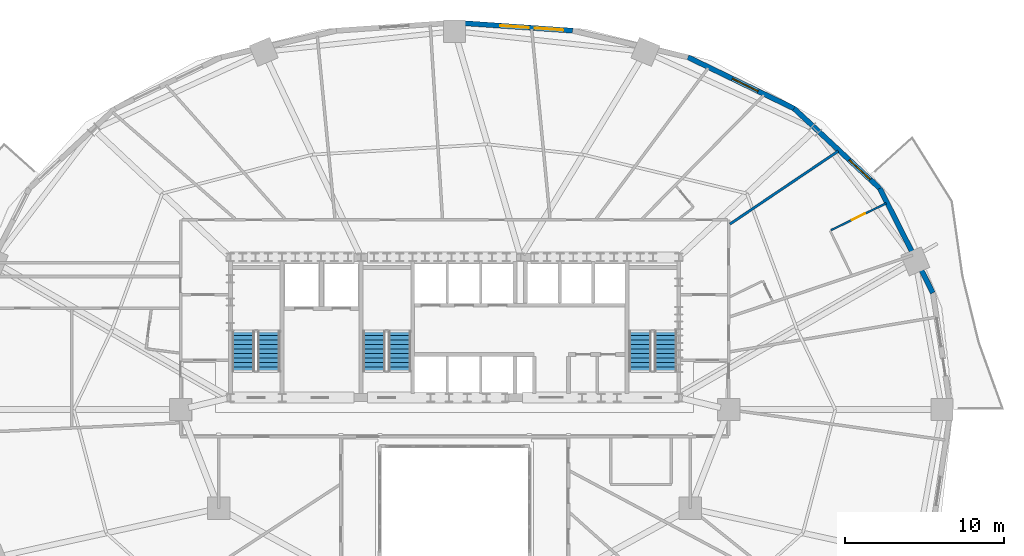
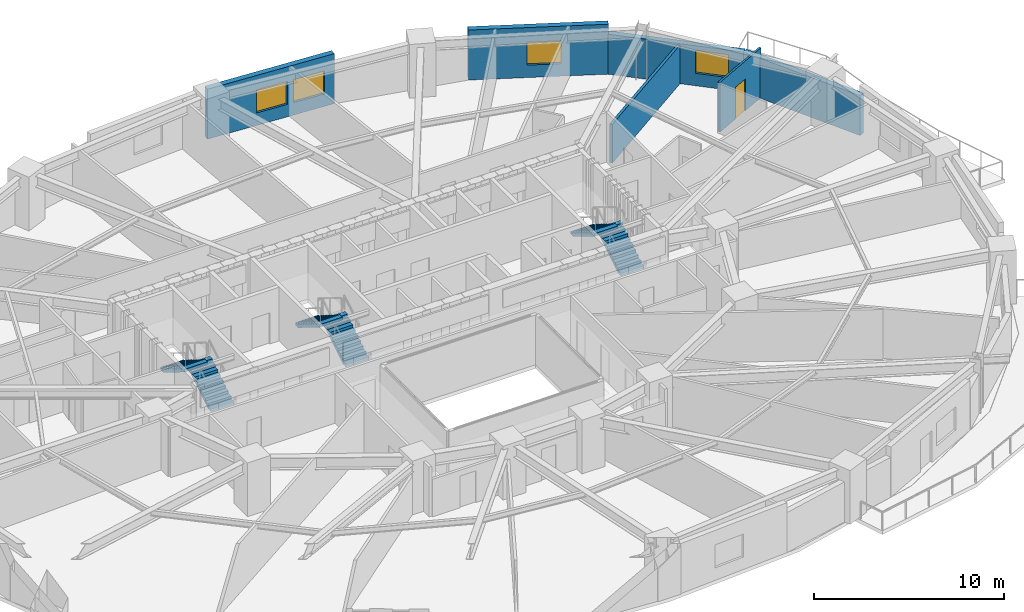
# One storey, part 13 of 17: 6 stair flights, 6 walls, 4 windows, 1 door, 5 openings, 3 elements without a shape of their own.
"""IFC4 building model written with IfcOpenShell, lengths in metres."""

from ifc_helpers import new_model, si_unit, direction, frame, frame_2d, origin, place, context, subcontext, project, spatial, polyline, rectangle, outline, extrude, material, layer, layer_set, type_object, element, fill, aggregate, save


model = new_model("IFC4")

# Units and contexts
model_context = context("Model", 3, precision=1e-05, world=origin(), true_north=direction((0.0, 1.0)))
body_context = subcontext(model_context, "Body", "Model", "MODEL_VIEW")
ifc_project = project(units=[si_unit("LENGTHUNIT", "METRE"), si_unit("AREAUNIT", "SQUARE_METRE"), si_unit("VOLUMEUNIT", "CUBIC_METRE"), si_unit("PLANEANGLEUNIT", "RADIAN"), si_unit("MASSUNIT", "GRAM", prefix="KILO")], contexts=[model_context])

# Site, building, storey
site_placement = place(None, origin())
site = spatial("IfcSite", under=ifc_project, at=site_placement, CompositionType="ELEMENT")
building_placement = place(site_placement, origin())
building = spatial("IfcBuilding", under=site, at=building_placement, Name="Haldorwick Loom Tower", CompositionType="ELEMENT")
storey_placement = place(building_placement, frame((0.0, 0.0, 65.39990234375)))
storey = spatial("IfcBuildingStorey", under=building, at=storey_placement, Name="L17", CompositionType="ELEMENT", Elevation=65.39990234375)

# Wall
ifc_material_1 = material(Name="Pressed Clay Face Brick and Insulated Masonry Backup Assembly", Category="masonry")
ifc_layer_1 = layer(ifc_material_1, 0.320068359375, Name="Pressed Clay Face Brick and Insulated Masonry Backup Assembly", Category="masonry")
ifc_layer_set_1 = layer_set([ifc_layer_1], Name="Pressed Clay Face Brick and Insulated Masonry Backup Assembly")
wall_type_1 = type_object("IfcWallType", Name="ARC-WL-EXT320", PredefinedType="STANDARD", material=ifc_layer_set_1)
wall_1_placement = place(storey_placement, frame((66.021728515625, 33.320556640625, 0.0), z_axis=(0.0, 0.0, 1.0), x_axis=(-0.452950855928, 0.891535485617, 0.0)))
element("IfcWall", 1, at=wall_1_placement, inside=storey, type_object=wall_type_1, Name="L17 Brick Pier and Spandrel Wall 2", PredefinedType="STANDARD", context=body_context, shape_type="SweptSolid", body=[
    extrude(rectangle(XDim=7.3583984375, YDim=0.320068359375, at=frame_2d((3.67919921875, 0.0))), origin(), (0.0, 0.0, 1.0), 2.569091796875),
])

# Wall, opening, window
wall_2_placement = place(storey_placement, frame((62.688720703125, 39.880859375, 0.0), z_axis=(0.0, 0.0, 1.0), x_axis=(-0.73176101237, 0.681561311091, 0.0)))
wall_2 = element("IfcWall", 2, at=wall_2_placement, inside=storey, type_object=wall_type_1, Name="L17 Brick Pier and Spandrel Wall 3", PredefinedType="STANDARD", context=body_context, shape_type="SweptSolid", body=[
    extrude(rectangle(XDim=7.3583984375, YDim=0.320068359375, at=frame_2d((3.67919921875, 0.0))), origin(), (0.0, 0.0, 1.0), 2.569091796875),
])
opening_1_placement = place(wall_2_placement, frame((0.82177734375, 0.0, 0.800048828125)))
opening_1 = element("IfcOpeningElement", 3, at=opening_1_placement, cuts=wall_2, Name="Opening W-01", PredefinedType="OPENING", context=body_context, shape_type="SweptSolid", body=[
    extrude(rectangle(XDim=1.800048828125, YDim=1.47998046875, at=frame_2d((0.89990234375, 0.739990234375))), frame((0.0, 0.169921875, 0.0), z_axis=(0.0, -1.0, 0.0), x_axis=(1.0, 0.0, 0.0)), (0.0, 0.0, 1.0), 0.340087890625),
])
ifc_material_2 = material(Name="Triple-Glazed Low-E Argon Insulated Glazing Unit", Category="glass")
window_type = type_object("IfcWindowType", Name="ARC-WIN-W180", PartitioningType="SINGLE_PANEL", PredefinedType="WINDOW", material=ifc_material_2)
window_1_placement = place(opening_1_placement, origin())
window_1 = element("IfcWindow", 4, at=window_1_placement, inside=storey, type_object=window_type, Name="L17 Deep-Set Zone 7A Window 3", OverallHeight=1.47998046875, OverallWidth=1.800048828125, PartitioningType="SINGLE_PANEL", PredefinedType="WINDOW", context=body_context, shape_type="SweptSolid", body=[
    extrude(rectangle(XDim=1.800048828125, YDim=1.47998046875, at=frame_2d((0.89990234375, 0.739990234375))), frame((0.0, 0.030029296875, 0.0), z_axis=(0.0, -1.0, 0.0), x_axis=(1.0, 0.0, 0.0)), (0.0, 0.0, 1.0), 0.06005859375),
])
fill(opening_1, window_1)

wall_3_placement = place(storey_placement, frame((57.30419921875, 44.89599609375, 0.0), z_axis=(0.0, 0.0, 1.0), x_axis=(-0.900295710431, 0.435278800057, 0.0)))
wall_3 = element("IfcWall", 5, at=wall_3_placement, inside=storey, type_object=wall_type_1, Name="L17 Brick Pier and Spandrel Wall 4", PredefinedType="STANDARD", context=body_context, shape_type="SweptSolid", body=[
    extrude(rectangle(XDim=7.39697265625, YDim=0.320068359375, at=frame_2d((3.698486328125, 0.0))), origin(), (0.0, 0.0, 1.0), 3.210205078125),
])
opening_2_placement = place(wall_3_placement, frame((2.498779296875, 0.0, 0.800048828125)))
opening_2 = element("IfcOpeningElement", 6, at=opening_2_placement, cuts=wall_3, Name="Opening W-01", PredefinedType="OPENING", context=body_context, shape_type="SweptSolid", body=[
    extrude(rectangle(XDim=1.800048828125, YDim=1.47998046875, at=frame_2d((0.89990234375, 0.739990234375))), frame((0.0, 0.169921875, 0.0), z_axis=(0.0, -1.0, 0.0), x_axis=(1.0, 0.0, 0.0)), (0.0, 0.0, 1.0), 0.340087890625),
])
window_2_placement = place(opening_2_placement, origin())
window_2 = element("IfcWindow", 7, at=window_2_placement, inside=storey, type_object=window_type, Name="L17 Deep-Set Zone 7A Window 4", OverallHeight=1.47998046875, OverallWidth=1.800048828125, PartitioningType="SINGLE_PANEL", PredefinedType="WINDOW", context=body_context, shape_type="SweptSolid", body=[
    extrude(rectangle(XDim=1.800048828125, YDim=1.47998046875, at=frame_2d((0.89990234375, 0.739990234375))), frame((0.0, 0.030029296875, 0.0), z_axis=(0.0, -1.0, 0.0), x_axis=(1.0, 0.0, 0.0)), (0.0, 0.0, 1.0), 0.06005859375),
])
fill(opening_2, window_2)

# Wall, openings, windows
wall_4_placement = place(storey_placement, frame((43.411376953125, 49.780517578125, 0.0), z_axis=(0.0, 0.0, 1.0), x_axis=(-0.997645161917, 0.068586667092, 0.0)))
wall_4 = element("IfcWall", 8, at=wall_4_placement, inside=storey, type_object=wall_type_1, Name="L17 Brick Pier and Spandrel Wall 6", PredefinedType="STANDARD", context=body_context, shape_type="SweptSolid", body=[
    extrude(rectangle(XDim=7.428955078125, YDim=0.320068359375, at=frame_2d((3.71435546875, 0.0))), origin(), (0.0, 0.0, 1.0), 3.210205078125),
])
opening_3_placement = place(wall_4_placement, frame((0.581298828125, 0.0, 0.800048828125)))
opening_3 = element("IfcOpeningElement", 9, at=opening_3_placement, cuts=wall_4, Name="Opening W-01", PredefinedType="OPENING", context=body_context, shape_type="SweptSolid", body=[
    extrude(rectangle(XDim=1.800048828125, YDim=1.47998046875, at=frame_2d((0.89990234375, 0.739990234375))), frame((0.0, 0.169921875, 0.0), z_axis=(0.0, -1.0, 0.0), x_axis=(1.0, 0.0, 0.0)), (0.0, 0.0, 1.0), 0.340087890625),
])
opening_4_placement = place(wall_4_placement, frame((2.75390625, 0.0, 0.800048828125)))
opening_4 = element("IfcOpeningElement", 10, at=opening_4_placement, cuts=wall_4, Name="Opening W-01", PredefinedType="OPENING", context=body_context, shape_type="SweptSolid", body=[
    extrude(rectangle(XDim=1.800048828125, YDim=1.47998046875, at=frame_2d((0.89990234375, 0.739990234375))), frame((0.0, 0.169921875, 0.0), z_axis=(0.0, -1.0, 0.0), x_axis=(1.0, 0.0, 0.0)), (0.0, 0.0, 1.0), 0.340087890625),
])
window_3_placement = place(opening_3_placement, origin())
window_3 = element("IfcWindow", 11, at=window_3_placement, inside=storey, type_object=window_type, Name="L17 Deep-Set Zone 7A Window 6", OverallHeight=1.47998046875, OverallWidth=1.800048828125, PartitioningType="SINGLE_PANEL", PredefinedType="WINDOW", context=body_context, shape_type="SweptSolid", body=[
    extrude(rectangle(XDim=1.800048828125, YDim=1.47998046875, at=frame_2d((0.89990234375, 0.739990234375))), frame((0.0, 0.030029296875, 0.0), z_axis=(0.0, -1.0, 0.0), x_axis=(1.0, 0.0, 0.0)), (0.0, 0.0, 1.0), 0.06005859375),
])
fill(opening_3, window_3)
window_4_placement = place(opening_4_placement, origin())
window_4 = element("IfcWindow", 12, at=window_4_placement, inside=storey, type_object=window_type, Name="L17 Deep-Set Zone 7A Window 6", OverallHeight=1.47998046875, OverallWidth=1.800048828125, PartitioningType="SINGLE_PANEL", PredefinedType="WINDOW", context=body_context, shape_type="SweptSolid", body=[
    extrude(rectangle(XDim=1.800048828125, YDim=1.47998046875, at=frame_2d((0.89990234375, 0.739990234375))), frame((0.0, 0.030029296875, 0.0), z_axis=(0.0, -1.0, 0.0), x_axis=(1.0, 0.0, 0.0)), (0.0, 0.0, 1.0), 0.06005859375),
])
fill(opening_4, window_4)

# Wall
ifc_material_3 = material(Name="Fire-Rated Type X Gypsum Stud Assembly EI 60")
ifc_layer_2 = layer(ifc_material_3, 0.159912109375, Name="Fire-Rated Type X Gypsum Stud Assembly EI 60")
ifc_layer_set_2 = layer_set([ifc_layer_2], Name="Fire-Rated Type X Gypsum Stud Assembly EI 60")
wall_type_2 = type_object("IfcWallType", Name="ARC-WL-FIRE160", PredefinedType="PARTITIONING", material=ifc_layer_set_2)
wall_5_placement = place(storey_placement, frame((53.282958984375, 37.642333984375, 0.0), z_axis=(0.0, 0.0, 1.0), x_axis=(0.829396648127, 0.558660183006, 0.0)))
element("IfcWall", 13, at=wall_5_placement, inside=storey, type_object=wall_type_2, Name="L17 Suite Split Wall", PredefinedType="PARTITIONING", context=body_context, shape_type="SweptSolid", body=[
    extrude(rectangle(XDim=8.196044921875, YDim=0.159912109375, at=frame_2d((4.09814453125, 0.0))), origin(), (0.0, 0.0, 1.0), 2.489990234375),
])

# Wall, opening, door
ifc_material_4 = material(Name="Acoustic Gypsum Stud Assembly STC 55")
ifc_layer_3 = layer(ifc_material_4, 0.1201171875, Name="Acoustic Gypsum Stud Assembly STC 55")
ifc_layer_set_3 = layer_set([ifc_layer_3], Name="Acoustic Gypsum Stud Assembly STC 55")
wall_type_3 = type_object("IfcWallType", Name="ARC-WL-PART120", PredefinedType="PARTITIONING", material=ifc_layer_set_3)
wall_6_placement = place(storey_placement, frame((59.62548828125, 37.259521484375, 0.0), z_axis=(0.0, 0.0, 1.0), x_axis=(0.899474724732, 0.436972790422, 0.0)))
wall_6 = element("IfcWall", 14, at=wall_6_placement, inside=storey, type_object=wall_type_3, Name="L17 Unit 17G Interior Partition", PredefinedType="PARTITIONING", context=body_context, shape_type="SweptSolid", body=[
    extrude(rectangle(XDim=3.85400390625, YDim=0.1201171875, at=frame_2d((1.927001953125, 0.0))), origin(), (0.0, 0.0, 1.0), 3.195068359375),
])
opening_5_placement = place(wall_6_placement, frame((1.47705078125, 0.0, 0.0)))
opening_5 = element("IfcOpeningElement", 15, at=opening_5_placement, cuts=wall_6, Name="Opening D-IN90", PredefinedType="OPENING", context=body_context, shape_type="SweptSolid", body=[
    extrude(rectangle(XDim=0.89990234375, YDim=2.0400390625, at=frame_2d((0.449951171875, 1.02001953125))), frame((0.0, 0.070068359375, 0.0), z_axis=(0.0, -1.0, 0.0), x_axis=(1.0, 0.0, 0.0)), (0.0, 0.0, 1.0), 0.14013671875),
])
ifc_material_5 = material(Name="Solid Core Birch Architectural Door")
door_type = type_object("IfcDoorType", Name="ARC-DR-INT90", OperationType="NOTDEFINED", PredefinedType="DOOR", material=ifc_material_5)
door_placement = place(opening_5_placement, origin())
door = element("IfcDoor", 16, at=door_placement, inside=storey, type_object=door_type, Name="L17 Unit 17G Kitchen and Living Room to Unit 17G Bedroom 1 Door", OperationType="SINGLE_SWING_LEFT", OverallHeight=2.0400390625, OverallWidth=0.89990234375, PredefinedType="DOOR", context=body_context, shape_type="SweptSolid", body=[
    extrude(rectangle(XDim=0.89990234375, YDim=2.0400390625, at=frame_2d((0.449951171875, 1.02001953125))), frame((0.0, 0.02490234375, 0.0), z_axis=(0.0, -1.0, 0.0), x_axis=(1.0, 0.0, 0.0)), (0.0, 0.0, 1.0), 0.050048828125),
])
fill(opening_5, door)

# Stair, stair flights
ifc_material_6 = material(Name="Concrete C40 (40 MPa)", Category="concrete")
stair_type = type_object("IfcStairType", Name="STR-STR-CORE", PredefinedType="HALF_TURN_STAIR", material=ifc_material_6)
stair_1_placement = place(storey_placement, origin())
stair_1 = element("IfcStair", 17, at=stair_1_placement, inside=storey, type_object=stair_type, Name="L17 Exit Stair ST-01", PredefinedType="HALF_TURN_STAIR")
stair_flight_type = type_object("IfcStairFlightType", Name="STR-STF-1250", PredefinedType="STRAIGHT", material=ifc_material_6)
stair_flight_1_placement = place(storey_placement, frame((24.35009765625, 28.39990234375, 0.0), z_axis=(0.0, 0.0, 1.0), x_axis=(0.0, 1.0, 0.0)))
stair_flight_1 = element("IfcStairFlight", 18, at=stair_flight_1_placement, type_object=stair_flight_type, Name="ST-01 flight 1", NumberOfRisers=10, NumberOfTreads=9, PredefinedType="STRAIGHT", RiserHeight=0.1725, TreadLength=0.28, context=body_context, shape_type="SweptSolid", body=[
    extrude(outline(polyline([(0.0, 0.0), (0.0, 0.172607421875), (0.280029296875, 0.172607421875), (0.280029296875, 0.344970703125), (0.56005859375, 0.344970703125), (0.56005859375, 0.517578125), (0.840087890625, 0.517578125), (0.840087890625, 0.68994140625), (1.1201171875, 0.68994140625), (1.1201171875, 0.862548828125), (1.39990234375, 0.862548828125), (1.39990234375, 1.034912109375), (1.679931640625, 1.034912109375), (1.679931640625, 1.20751953125), (1.9599609375, 1.20751953125), (1.9599609375, 1.3798828125), (2.239990234375, 1.3798828125), (2.239990234375, 1.552490234375), (2.52001953125, 1.552490234375), (2.52001953125, 1.72509765625), (2.52001953125, 1.37646484375), (0.285888671875, 0.0), (0.0, 0.0)])), frame((0.0, 0.699951171875, 0.0), z_axis=(0.0, -1.0, 0.0), x_axis=(1.0, 0.0, 0.0)), (0.0, 0.0, 1.0), 1.39990234375),
])
stair_flight_2_placement = place(storey_placement, frame((22.75, 30.919921875, 1.72509765625), z_axis=(0.0, 0.0, 1.0), x_axis=(0.0, -1.0, 0.0)))
stair_flight_2 = element("IfcStairFlight", 19, at=stair_flight_2_placement, type_object=stair_flight_type, Name="ST-01 flight 2", NumberOfRisers=10, NumberOfTreads=9, PredefinedType="STRAIGHT", RiserHeight=0.1725, TreadLength=0.28, context=body_context, shape_type="SweptSolid", body=[
    extrude(outline(polyline([(0.0, 0.0), (0.0, 0.172607421875), (0.280029296875, 0.172607421875), (0.280029296875, 0.344970703125), (0.56005859375, 0.344970703125), (0.56005859375, 0.517578125), (0.840087890625, 0.517578125), (0.840087890625, 0.68994140625), (1.1201171875, 0.68994140625), (1.1201171875, 0.862548828125), (1.39990234375, 0.862548828125), (1.39990234375, 1.034912109375), (1.679931640625, 1.034912109375), (1.679931640625, 1.20751953125), (1.9599609375, 1.20751953125), (1.9599609375, 1.3798828125), (2.239990234375, 1.3798828125), (2.239990234375, 1.552490234375), (2.52001953125, 1.552490234375), (2.52001953125, 1.72509765625), (2.52001953125, 1.37646484375), (0.285888671875, 0.0), (0.0, 0.0)])), frame((0.0, 0.699951171875, 0.0), z_axis=(0.0, -1.0, 0.0), x_axis=(1.0, 0.0, 0.0)), (0.0, 0.0, 1.0), 1.39990234375),
])
aggregate(stair_1, [stair_flight_1, stair_flight_2])

stair_2_placement = place(storey_placement, origin())
stair_2 = element("IfcStair", 20, at=stair_2_placement, inside=storey, type_object=stair_type, Name="L17 Exit Stair ST-02", PredefinedType="HALF_TURN_STAIR")
stair_flight_3_placement = place(storey_placement, frame((49.25, 28.39990234375, 0.0), z_axis=(0.0, 0.0, 1.0), x_axis=(0.0, 1.0, 0.0)))
stair_flight_3 = element("IfcStairFlight", 21, at=stair_flight_3_placement, type_object=stair_flight_type, Name="ST-02 flight 1", NumberOfRisers=10, NumberOfTreads=9, PredefinedType="STRAIGHT", RiserHeight=0.1725, TreadLength=0.28, context=body_context, shape_type="SweptSolid", body=[
    extrude(outline(polyline([(0.0, 0.0), (0.0, 0.172607421875), (0.280029296875, 0.172607421875), (0.280029296875, 0.344970703125), (0.56005859375, 0.344970703125), (0.56005859375, 0.517578125), (0.840087890625, 0.517578125), (0.840087890625, 0.68994140625), (1.1201171875, 0.68994140625), (1.1201171875, 0.862548828125), (1.39990234375, 0.862548828125), (1.39990234375, 1.034912109375), (1.679931640625, 1.034912109375), (1.679931640625, 1.20751953125), (1.9599609375, 1.20751953125), (1.9599609375, 1.3798828125), (2.239990234375, 1.3798828125), (2.239990234375, 1.552490234375), (2.52001953125, 1.552490234375), (2.52001953125, 1.72509765625), (2.52001953125, 1.37646484375), (0.285888671875, 0.0), (0.0, 0.0)])), frame((0.0, 0.699951171875, 0.0), z_axis=(0.0, -1.0, 0.0), x_axis=(1.0, 0.0, 0.0)), (0.0, 0.0, 1.0), 1.39990234375),
])
stair_flight_4_placement = place(storey_placement, frame((47.64990234375, 30.919921875, 1.72509765625), z_axis=(0.0, 0.0, 1.0), x_axis=(0.0, -1.0, 0.0)))
stair_flight_4 = element("IfcStairFlight", 22, at=stair_flight_4_placement, type_object=stair_flight_type, Name="ST-02 flight 2", NumberOfRisers=10, NumberOfTreads=9, PredefinedType="STRAIGHT", RiserHeight=0.1725, TreadLength=0.28, context=body_context, shape_type="SweptSolid", body=[
    extrude(outline(polyline([(0.0, 0.0), (0.0, 0.172607421875), (0.280029296875, 0.172607421875), (0.280029296875, 0.344970703125), (0.56005859375, 0.344970703125), (0.56005859375, 0.517578125), (0.840087890625, 0.517578125), (0.840087890625, 0.68994140625), (1.1201171875, 0.68994140625), (1.1201171875, 0.862548828125), (1.39990234375, 0.862548828125), (1.39990234375, 1.034912109375), (1.679931640625, 1.034912109375), (1.679931640625, 1.20751953125), (1.9599609375, 1.20751953125), (1.9599609375, 1.3798828125), (2.239990234375, 1.3798828125), (2.239990234375, 1.552490234375), (2.52001953125, 1.552490234375), (2.52001953125, 1.72509765625), (2.52001953125, 1.37646484375), (0.285888671875, 0.0), (0.0, 0.0)])), frame((0.0, 0.699951171875, 0.0), z_axis=(0.0, -1.0, 0.0), x_axis=(1.0, 0.0, 0.0)), (0.0, 0.0, 1.0), 1.39990234375),
])
aggregate(stair_2, [stair_flight_3, stair_flight_4])

stair_3_placement = place(storey_placement, origin())
stair_3 = element("IfcStair", 23, at=stair_3_placement, inside=storey, type_object=stair_type, Name="L17 Exit Stair ST-03", PredefinedType="HALF_TURN_STAIR")
stair_flight_5_placement = place(storey_placement, frame((32.550048828125, 28.39990234375, 0.0), z_axis=(0.0, 0.0, 1.0), x_axis=(0.0, 1.0, 0.0)))
stair_flight_5 = element("IfcStairFlight", 24, at=stair_flight_5_placement, type_object=stair_flight_type, Name="ST-03 flight 1", NumberOfRisers=10, NumberOfTreads=9, PredefinedType="STRAIGHT", RiserHeight=0.1725, TreadLength=0.28, context=body_context, shape_type="SweptSolid", body=[
    extrude(outline(polyline([(0.0, 0.0), (0.0, 0.172607421875), (0.280029296875, 0.172607421875), (0.280029296875, 0.344970703125), (0.56005859375, 0.344970703125), (0.56005859375, 0.517578125), (0.840087890625, 0.517578125), (0.840087890625, 0.68994140625), (1.1201171875, 0.68994140625), (1.1201171875, 0.862548828125), (1.39990234375, 0.862548828125), (1.39990234375, 1.034912109375), (1.679931640625, 1.034912109375), (1.679931640625, 1.20751953125), (1.9599609375, 1.20751953125), (1.9599609375, 1.3798828125), (2.239990234375, 1.3798828125), (2.239990234375, 1.552490234375), (2.52001953125, 1.552490234375), (2.52001953125, 1.72509765625), (2.52001953125, 1.37646484375), (0.285888671875, 0.0), (0.0, 0.0)])), frame((0.0, 0.699951171875, 0.0), z_axis=(0.0, -1.0, 0.0), x_axis=(1.0, 0.0, 0.0)), (0.0, 0.0, 1.0), 1.39990234375),
])
stair_flight_6_placement = place(storey_placement, frame((30.949951171875, 30.919921875, 1.72509765625), z_axis=(0.0, 0.0, 1.0), x_axis=(0.0, -1.0, 0.0)))
stair_flight_6 = element("IfcStairFlight", 25, at=stair_flight_6_placement, type_object=stair_flight_type, Name="ST-03 flight 2", NumberOfRisers=10, NumberOfTreads=9, PredefinedType="STRAIGHT", RiserHeight=0.1725, TreadLength=0.28, context=body_context, shape_type="SweptSolid", body=[
    extrude(outline(polyline([(0.0, 0.0), (0.0, 0.172607421875), (0.280029296875, 0.172607421875), (0.280029296875, 0.344970703125), (0.56005859375, 0.344970703125), (0.56005859375, 0.517578125), (0.840087890625, 0.517578125), (0.840087890625, 0.68994140625), (1.1201171875, 0.68994140625), (1.1201171875, 0.862548828125), (1.39990234375, 0.862548828125), (1.39990234375, 1.034912109375), (1.679931640625, 1.034912109375), (1.679931640625, 1.20751953125), (1.9599609375, 1.20751953125), (1.9599609375, 1.3798828125), (2.239990234375, 1.3798828125), (2.239990234375, 1.552490234375), (2.52001953125, 1.552490234375), (2.52001953125, 1.72509765625), (2.52001953125, 1.37646484375), (0.285888671875, 0.0), (0.0, 0.0)])), frame((0.0, 0.699951171875, 0.0), z_axis=(0.0, -1.0, 0.0), x_axis=(1.0, 0.0, 0.0)), (0.0, 0.0, 1.0), 1.39990234375),
])
aggregate(stair_3, [stair_flight_5, stair_flight_6])

save(model, "model.ifc")
